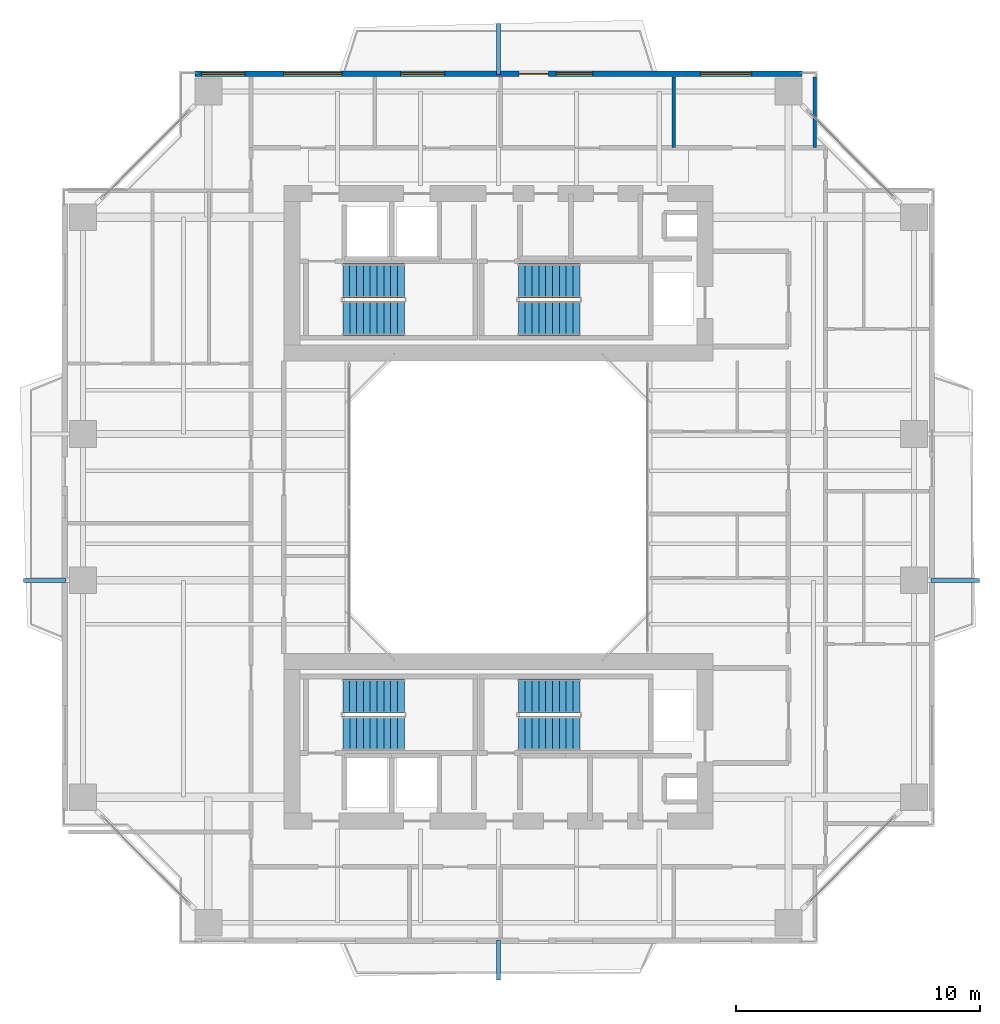
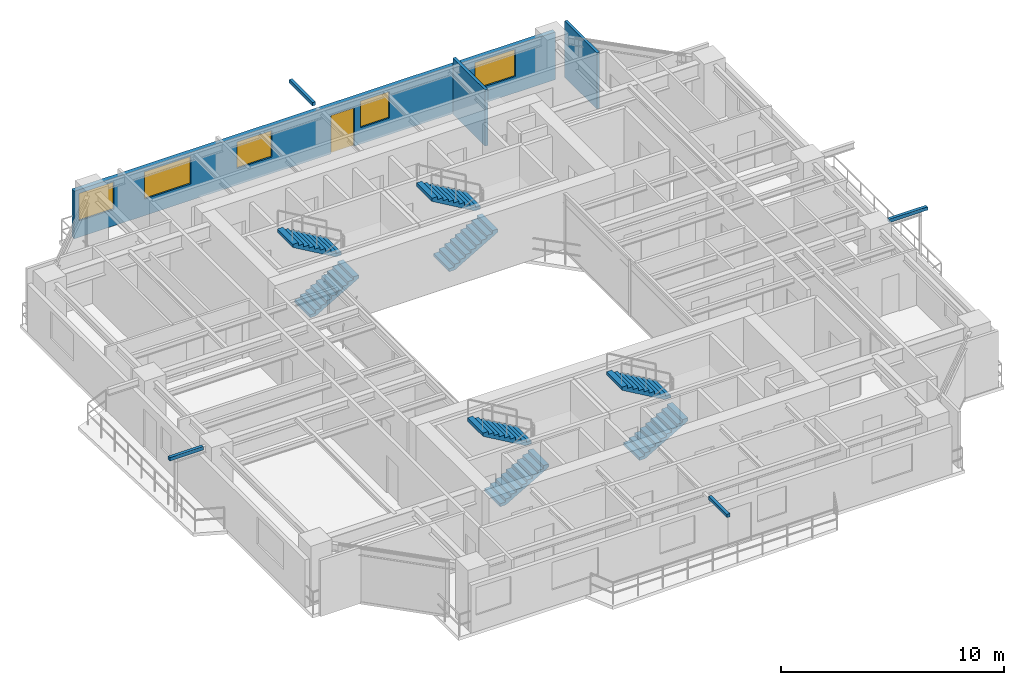
# One storey, part 14 of 17: 8 stair flights, 5 windows, 4 discrete accessories, 3 walls, 1 door, 6 openings, 4 elements without a shape of their own.
"""IFC4 building model written with IfcOpenShell, lengths in metres."""

from ifc_helpers import new_model, si_unit, direction, frame, frame_2d, origin, origin_2d, place, context, subcontext, project, spatial, polyline, rectangle, outline, extrude, source, transform, mapped, material, layer, layer_set, type_object, element, fill, aggregate, save


model = new_model("IFC4")

# Units and contexts
model_context = context("Model", 3, precision=1e-05, world=origin(), true_north=direction((0.0, 1.0)))
body_context = subcontext(model_context, "Body", "Model", "MODEL_VIEW")
ifc_project = project(units=[si_unit("LENGTHUNIT", "METRE"), si_unit("AREAUNIT", "SQUARE_METRE"), si_unit("VOLUMEUNIT", "CUBIC_METRE"), si_unit("PLANEANGLEUNIT", "RADIAN"), si_unit("MASSUNIT", "GRAM", prefix="KILO"), si_unit("THERMODYNAMICTEMPERATUREUNIT", "KELVIN"), si_unit("POWERUNIT", "WATT")], contexts=[model_context])

# Site, building, storey
site_placement = place(None, origin())
site = spatial("IfcSite", under=ifc_project, at=site_placement, CompositionType="ELEMENT")
building_placement = place(site_placement, origin())
building = spatial("IfcBuilding", under=site, at=building_placement, Name="Qiaomeng Ring Towers", CompositionType="ELEMENT")
storey_placement = place(building_placement, frame((0.0, 0.0, 119.75)))
storey = spatial("IfcBuildingStorey", under=building, at=storey_placement, Name="L34", CompositionType="ELEMENT", Elevation=119.75)

# Wall, openings, windows, door
ifc_material_1 = material(Name="Precast concrete C40", Category="concrete")
ifc_layer_1 = layer(ifc_material_1, 0.219970703125, Name="Precast concrete C40")
ifc_layer_set_1 = layer_set([ifc_layer_1], Name="Precast concrete C40")
wall_type_1 = type_object("IfcWallType", Name="ARC-WL-EW2", PredefinedType="STANDARD", material=ifc_layer_set_1)
wall_placement = place(storey_placement, frame((6.550048828125, 40.7900390625, 0.0), z_axis=(0.0, 0.0, 1.0), x_axis=(1.0, 0.0, 0.0)))
wall = element("IfcWall", 1, at=wall_placement, inside=storey, type_object=wall_type_1, Name="L34 Tower 1 N Exterior Wall", PredefinedType="STANDARD", context=body_context, shape_type="SweptSolid", body=[
    extrude(rectangle(XDim=24.89990234375, YDim=0.219970703125, at=frame_2d((12.449951171875, 0.0))), origin(), (0.0, 0.0, 1.0), 2.610107421875),
])
opening_1_placement = place(wall_placement, frame((13.300048828125, 0.0, 0.0)))
opening_1 = element("IfcOpeningElement", 2, at=opening_1_placement, cuts=wall, Name="Opening BD1", PredefinedType="OPENING", context=body_context, shape_type="SweptSolid", body=[
    extrude(rectangle(XDim=1.199951171875, YDim=2.10009765625, at=frame_2d((0.60009765625, 1.050048828125))), frame((0.0, 0.119873046875, 0.0), z_axis=(0.0, -1.0, 0.0), x_axis=(1.0, 0.0, 0.0)), (0.0, 0.0, 1.0), 0.239990234375),
])
opening_2_placement = place(wall_placement, frame((3.635009765625, 0.0, 0.89990234375)))
opening_2 = element("IfcOpeningElement", 3, at=opening_2_placement, cuts=wall, Name="Opening WN6", PredefinedType="OPENING", context=body_context, shape_type="SweptSolid", body=[
    extrude(rectangle(XDim=2.39990234375, YDim=1.5, at=frame_2d((1.199951171875, 0.75))), frame((0.0, 0.119873046875, 0.0), z_axis=(0.0, -1.0, 0.0), x_axis=(1.0, 0.0, 0.0)), (0.0, 0.0, 1.0), 0.239990234375),
])
opening_3_placement = place(wall_placement, frame((8.43798828125, 0.0, 0.89990234375)))
opening_3 = element("IfcOpeningElement", 4, at=opening_3_placement, cuts=wall, Name="Opening WN1", PredefinedType="OPENING", context=body_context, shape_type="SweptSolid", body=[
    extrude(rectangle(XDim=1.800048828125, YDim=1.449951171875, at=frame_2d((0.89990234375, 0.72509765625))), frame((0.0, 0.119873046875, 0.0), z_axis=(0.0, -1.0, 0.0), x_axis=(1.0, 0.0, 0.0)), (0.0, 0.0, 1.0), 0.239990234375),
])
opening_4_placement = place(wall_placement, frame((14.81298828125, 0.0, 0.89990234375)))
opening_4 = element("IfcOpeningElement", 5, at=opening_4_placement, cuts=wall, Name="Opening WN2", PredefinedType="OPENING", context=body_context, shape_type="SweptSolid", body=[
    extrude(rectangle(XDim=1.5, YDim=1.449951171875, at=frame_2d((0.75, 0.72509765625))), frame((0.0, 0.119873046875, 0.0), z_axis=(0.0, -1.0, 0.0), x_axis=(1.0, 0.0, 0.0)), (0.0, 0.0, 1.0), 0.239990234375),
])
opening_5_placement = place(wall_placement, frame((20.738037109375, 0.0, 0.89990234375)))
opening_5 = element("IfcOpeningElement", 6, at=opening_5_placement, cuts=wall, Name="Opening WN4", PredefinedType="OPENING", context=body_context, shape_type="SweptSolid", body=[
    extrude(rectangle(XDim=2.10009765625, YDim=1.47998046875, at=frame_2d((1.050048828125, 0.739990234375))), frame((0.0, 0.119873046875, 0.0), z_axis=(0.0, -1.0, 0.0), x_axis=(1.0, 0.0, 0.0)), (0.0, 0.0, 1.0), 0.239990234375),
])
opening_6_placement = place(wall_placement, frame((0.257568359375, 0.0, 0.89990234375)))
opening_6 = element("IfcOpeningElement", 7, at=opening_6_placement, cuts=wall, Name="Opening WN1", PredefinedType="OPENING", context=body_context, shape_type="SweptSolid", body=[
    extrude(rectangle(XDim=1.800048828125, YDim=1.5, at=frame_2d((0.89990234375, 0.75))), frame((0.0, 0.119873046875, 0.0), z_axis=(0.0, -1.0, 0.0), x_axis=(1.0, 0.0, 0.0)), (0.0, 0.0, 1.0), 0.239990234375),
])
ifc_material_2 = material(Name="Low-E dark-grey laminated double glazing", Category="glass")
window_type_1 = type_object("IfcWindowType", Name="ARC-WN-2", PartitioningType="DOUBLE_PANEL_VERTICAL", PredefinedType="WINDOW", material=ifc_material_2)
shared_shape_1 = source(origin(), body_context, "Body", "SweptSolid", [
    extrude(rectangle(XDim=1.5, YDim=1.449951171875, at=frame_2d((0.75, 0.72509765625))), frame((0.0, 0.030029296875, 0.0), z_axis=(0.0, -1.0, 0.0), x_axis=(1.0, 0.0, 0.0)), (0.0, 0.0, 1.0), 0.06005859375),
])
window_1_placement = place(opening_4_placement, origin())
window_1 = element("IfcWindow", 8, at=window_1_placement, inside=storey, type_object=window_type_1, Name="L34 Exterior Window WN2", OverallHeight=1.449951171875, OverallWidth=1.5, PartitioningType="DOUBLE_PANEL_VERTICAL", PredefinedType="WINDOW", context=body_context, shape_type="MappedRepresentation", body=[
    mapped(shared_shape_1, transform((0.0, 0.0, 0.0), x_axis=(1.0, 0.0, 0.0), y_axis=(0.0, 1.0, 0.0), z_axis=(0.0, 0.0, 1.0), scale=1.0)),
])
fill(opening_4, window_1)
window_type_2 = type_object("IfcWindowType", Name="ARC-WN-4", PartitioningType="TRIPLE_PANEL_VERTICAL", PredefinedType="WINDOW", material=ifc_material_2)
shared_shape_2 = source(origin(), body_context, "Body", "SweptSolid", [
    extrude(rectangle(XDim=2.10009765625, YDim=1.47998046875, at=frame_2d((1.050048828125, 0.739990234375))), frame((0.0, 0.030029296875, 0.0), z_axis=(0.0, -1.0, 0.0), x_axis=(1.0, 0.0, 0.0)), (0.0, 0.0, 1.0), 0.06005859375),
])
window_2_placement = place(opening_5_placement, origin())
window_2 = element("IfcWindow", 9, at=window_2_placement, inside=storey, type_object=window_type_2, Name="L34 Exterior Window WN4", OverallHeight=1.47998046875, OverallWidth=2.10009765625, PartitioningType="TRIPLE_PANEL_VERTICAL", PredefinedType="WINDOW", context=body_context, shape_type="MappedRepresentation", body=[
    mapped(shared_shape_2, transform((0.0, 0.0, 0.0), x_axis=(1.0, 0.0, 0.0), y_axis=(0.0, 1.0, 0.0), z_axis=(0.0, 0.0, 1.0), scale=1.0)),
])
fill(opening_5, window_2)
window_type_3 = type_object("IfcWindowType", Name="ARC-WN-1", PartitioningType="DOUBLE_PANEL_VERTICAL", PredefinedType="WINDOW", material=ifc_material_2)
shared_shape_3 = source(origin(), body_context, "Body", "SweptSolid", [
    extrude(rectangle(XDim=1.800048828125, YDim=1.449951171875, at=frame_2d((0.89990234375, 0.72509765625))), frame((0.0, 0.030029296875, 0.0), z_axis=(0.0, -1.0, 0.0), x_axis=(1.0, 0.0, 0.0)), (0.0, 0.0, 1.0), 0.06005859375),
])
window_3_placement = place(opening_3_placement, origin())
window_3 = element("IfcWindow", 10, at=window_3_placement, inside=storey, type_object=window_type_3, Name="L34 Exterior Window WN1", OverallHeight=1.449951171875, OverallWidth=1.800048828125, PartitioningType="DOUBLE_PANEL_VERTICAL", PredefinedType="WINDOW", context=body_context, shape_type="MappedRepresentation", body=[
    mapped(shared_shape_3, transform((0.0, 0.0, 0.0), x_axis=(1.0, 0.0, 0.0), y_axis=(0.0, 1.0, 0.0), z_axis=(0.0, 0.0, 1.0), scale=1.0)),
])
fill(opening_3, window_3)
door_type = type_object("IfcDoorType", Name="ARC-DR-BD1", OperationType="NOTDEFINED", PredefinedType="DOOR", material=ifc_material_2)
shared_shape_4 = source(origin(), body_context, "Body", "SweptSolid", [
    extrude(rectangle(XDim=1.199951171875, YDim=2.10009765625, at=frame_2d((0.60009765625, 1.050048828125))), frame((0.0, 0.02490234375, 0.0), z_axis=(0.0, -1.0, 0.0), x_axis=(1.0, 0.0, 0.0)), (0.0, 0.0, 1.0), 0.050048828125),
])
door_placement = place(opening_1_placement, origin())
door = element("IfcDoor", 11, at=door_placement, inside=storey, type_object=door_type, Name="L34 N Balcony Glazed Door", OperationType="SINGLE_SWING_LEFT", OverallHeight=2.10009765625, OverallWidth=1.199951171875, PredefinedType="DOOR", context=body_context, shape_type="MappedRepresentation", body=[
    mapped(shared_shape_4, transform((0.0, 0.0, 0.0), x_axis=(1.0, 0.0, 0.0), y_axis=(0.0, 1.0, 0.0), z_axis=(0.0, 0.0, 1.0), scale=1.0)),
])
fill(opening_1, door)
window_type_4 = type_object("IfcWindowType", Name="ARC-WN-6", PartitioningType="TRIPLE_PANEL_VERTICAL", PredefinedType="WINDOW", material=ifc_material_2)
shared_shape_5 = source(origin(), body_context, "Body", "SweptSolid", [
    extrude(rectangle(XDim=2.39990234375, YDim=1.5, at=frame_2d((1.199951171875, 0.75))), frame((0.0, 0.030029296875, 0.0), z_axis=(0.0, -1.0, 0.0), x_axis=(1.0, 0.0, 0.0)), (0.0, 0.0, 1.0), 0.06005859375),
])
window_4_placement = place(opening_2_placement, origin())
window_4 = element("IfcWindow", 12, at=window_4_placement, inside=storey, type_object=window_type_4, Name="L34 Exterior Window WN6", OverallHeight=1.5, OverallWidth=2.39990234375, PartitioningType="TRIPLE_PANEL_VERTICAL", PredefinedType="WINDOW", context=body_context, shape_type="MappedRepresentation", body=[
    mapped(shared_shape_5, transform((0.0, 0.0, 0.0), x_axis=(1.0, 0.0, 0.0), y_axis=(0.0, 1.0, 0.0), z_axis=(0.0, 0.0, 1.0), scale=1.0)),
])
fill(opening_2, window_4)
shared_shape_6 = source(origin(), body_context, "Body", "SweptSolid", [
    extrude(rectangle(XDim=1.800048828125, YDim=1.5, at=frame_2d((0.89990234375, 0.75))), frame((0.0, 0.030029296875, 0.0), z_axis=(0.0, -1.0, 0.0), x_axis=(1.0, 0.0, 0.0)), (0.0, 0.0, 1.0), 0.06005859375),
])
window_5_placement = place(opening_6_placement, origin())
window_5 = element("IfcWindow", 13, at=window_5_placement, inside=storey, type_object=window_type_3, Name="L34 Exterior Window WN1", OverallHeight=1.5, OverallWidth=1.800048828125, PartitioningType="DOUBLE_PANEL_VERTICAL", PredefinedType="WINDOW", context=body_context, shape_type="MappedRepresentation", body=[
    mapped(shared_shape_6, transform((0.0, 0.0, 0.0), x_axis=(1.0, 0.0, 0.0), y_axis=(0.0, 1.0, 0.0), z_axis=(0.0, 0.0, 1.0), scale=1.0)),
])
fill(opening_6, window_5)

# Walls
ifc_material_3 = material(Name="Gypsum fireboard steel-stud partition", Category="steel")
ifc_layer_2 = layer(ifc_material_3, 0.14990234375, Name="Gypsum fireboard steel-stud partition")
ifc_layer_set_2 = layer_set([ifc_layer_2], Name="Gypsum fireboard steel-stud partition")
wall_type_2 = type_object("IfcWallType", Name="ARC-WL-PW3", PredefinedType="PARTITIONING", material=ifc_layer_set_2)
for number, where, z_axis, x_axis, name in (
    (14, (26.199951171875, 37.75, 0.0), (0.0, 0.0, 1.0), (0.0, 1.0, 0.0), "L34 Interior Wall PW3"),
    (15, (31.97998046875, 37.75, 0.0), (0.0, 0.0, 1.0), (0.0, 1.0, 0.0), "L34 Interior Wall PW3"),
):
    element("IfcWall", number, at=place(storey_placement, frame(where, z_axis=z_axis, x_axis=x_axis)), inside=storey, type_object=wall_type_2, Name=name, PredefinedType="PARTITIONING", context=body_context, shape_type="SweptSolid", body=[
        extrude(rectangle(XDim=2.89990234375, YDim=0.14990234375, at=frame_2d((1.449951171875, 0.0))), origin(), (0.0, 0.0, 1.0), 3.070068359375),
    ])

# Stair, stair flights
stair_type = type_object("IfcStairType", Name="ARC-ST-325", PredefinedType="HALF_TURN_STAIR", material=ifc_material_1)
stair_1_placement = place(storey_placement, origin())
stair_1 = element("IfcStair", 16, at=stair_1_placement, inside=storey, type_object=stair_type, Name="L34 Tower 1 North Stair 1", PredefinedType="HALF_TURN_STAIR")
stair_flight_type = type_object("IfcStairFlightType", Name="ARC-ST-325-FL", PredefinedType="STRAIGHT", material=ifc_material_1)
shared_shape_7 = source(origin(), body_context, "Body", "SweptSolid", [
    extrude(outline(polyline([(0.0, 0.0), (0.0, 0.16259765625), (0.280029296875, 0.16259765625), (0.280029296875, 0.324951171875), (0.56005859375, 0.324951171875), (0.56005859375, 0.487548828125), (0.840087890625, 0.487548828125), (0.840087890625, 0.64990234375), (1.1201171875, 0.64990234375), (1.1201171875, 0.8125), (1.39990234375, 0.8125), (1.39990234375, 0.97509765625), (1.679931640625, 0.97509765625), (1.679931640625, 1.137451171875), (1.9599609375, 1.137451171875), (1.9599609375, 1.300048828125), (2.239990234375, 1.300048828125), (2.239990234375, 1.46240234375), (2.52001953125, 1.46240234375), (2.52001953125, 1.625), (2.52001953125, 1.2890625), (0.298583984375, 0.0), (0.0, 0.0)])), frame((0.0, 0.699951171875, 0.0), z_axis=(0.0, -1.0, 0.0), x_axis=(1.0, 0.0, 0.0)), (0.0, 0.0, 1.0), 1.39990234375),
])
stair_flight_1_placement = place(storey_placement, frame((12.6201171875, 30.75, 0.0), z_axis=(0.0, 0.0, 1.0), x_axis=(1.0, 0.0, 0.0)))
stair_flight_1 = element("IfcStairFlight", 17, at=stair_flight_1_placement, type_object=stair_flight_type, Name="ST1 flight 1", NumberOfRisers=10, NumberOfTreads=9, PredefinedType="STRAIGHT", RiserHeight=0.1625, TreadLength=0.28, context=body_context, shape_type="MappedRepresentation", body=[
    mapped(shared_shape_7, transform((0.0, 0.0, 0.0), x_axis=(1.0, 0.0, 0.0), y_axis=(0.0, 1.0, 0.0), z_axis=(0.0, 0.0, 1.0), scale=1.0)),
])
stair_flight_2_placement = place(storey_placement, frame((15.139892578125, 32.2900390625, 1.625), z_axis=(0.0, 0.0, 1.0), x_axis=(-1.0, 0.0, 0.0)))
stair_flight_2 = element("IfcStairFlight", 18, at=stair_flight_2_placement, type_object=stair_flight_type, Name="ST1 flight 2", NumberOfRisers=10, NumberOfTreads=9, PredefinedType="STRAIGHT", RiserHeight=0.1625, TreadLength=0.28, context=body_context, shape_type="MappedRepresentation", body=[
    mapped(shared_shape_7, transform((0.0, 0.0, 0.0), x_axis=(1.0, 0.0, 0.0), y_axis=(0.0, 1.0, 0.0), z_axis=(0.0, 0.0, 1.0), scale=1.0)),
])
aggregate(stair_1, [stair_flight_1, stair_flight_2])

stair_2_placement = place(storey_placement, origin())
stair_2 = element("IfcStair", 19, at=stair_2_placement, inside=storey, type_object=stair_type, Name="L34 Tower 1 North Stair 2", PredefinedType="HALF_TURN_STAIR")
stair_flight_3_placement = place(storey_placement, frame((19.820068359375, 30.75, 0.0), z_axis=(0.0, 0.0, 1.0), x_axis=(1.0, 0.0, 0.0)))
stair_flight_3 = element("IfcStairFlight", 20, at=stair_flight_3_placement, type_object=stair_flight_type, Name="ST2 flight 1", NumberOfRisers=10, NumberOfTreads=9, PredefinedType="STRAIGHT", RiserHeight=0.1625, TreadLength=0.28, context=body_context, shape_type="MappedRepresentation", body=[
    mapped(shared_shape_7, transform((0.0, 0.0, 0.0), x_axis=(1.0, 0.0, 0.0), y_axis=(0.0, 1.0, 0.0), z_axis=(0.0, 0.0, 1.0), scale=1.0)),
])
stair_flight_4_placement = place(storey_placement, frame((22.340087890625, 32.2900390625, 1.625), z_axis=(0.0, 0.0, 1.0), x_axis=(-1.0, 0.0, 0.0)))
stair_flight_4 = element("IfcStairFlight", 21, at=stair_flight_4_placement, type_object=stair_flight_type, Name="ST2 flight 2", NumberOfRisers=10, NumberOfTreads=9, PredefinedType="STRAIGHT", RiserHeight=0.1625, TreadLength=0.28, context=body_context, shape_type="MappedRepresentation", body=[
    mapped(shared_shape_7, transform((0.0, 0.0, 0.0), x_axis=(1.0, 0.0, 0.0), y_axis=(0.0, 1.0, 0.0), z_axis=(0.0, 0.0, 1.0), scale=1.0)),
])
aggregate(stair_2, [stair_flight_3, stair_flight_4])

stair_3_placement = place(storey_placement, origin())
stair_3 = element("IfcStair", 22, at=stair_3_placement, inside=storey, type_object=stair_type, Name="L34 Tower 1 South Stair 3", PredefinedType="HALF_TURN_STAIR")
stair_flight_5_placement = place(storey_placement, frame((12.6201171875, 13.7099609375, 0.0), z_axis=(0.0, 0.0, 1.0), x_axis=(1.0, 0.0, 0.0)))
stair_flight_5 = element("IfcStairFlight", 23, at=stair_flight_5_placement, type_object=stair_flight_type, Name="ST3 flight 1", NumberOfRisers=10, NumberOfTreads=9, PredefinedType="STRAIGHT", RiserHeight=0.1625, TreadLength=0.28, context=body_context, shape_type="MappedRepresentation", body=[
    mapped(shared_shape_7, transform((0.0, 0.0, 0.0), x_axis=(1.0, 0.0, 0.0), y_axis=(0.0, 1.0, 0.0), z_axis=(0.0, 0.0, 1.0), scale=1.0)),
])
stair_flight_6_placement = place(storey_placement, frame((15.139892578125, 15.25, 1.625), z_axis=(0.0, 0.0, 1.0), x_axis=(-1.0, 0.0, 0.0)))
stair_flight_6 = element("IfcStairFlight", 24, at=stair_flight_6_placement, type_object=stair_flight_type, Name="ST3 flight 2", NumberOfRisers=10, NumberOfTreads=9, PredefinedType="STRAIGHT", RiserHeight=0.1625, TreadLength=0.28, context=body_context, shape_type="MappedRepresentation", body=[
    mapped(shared_shape_7, transform((0.0, 0.0, 0.0), x_axis=(1.0, 0.0, 0.0), y_axis=(0.0, 1.0, 0.0), z_axis=(0.0, 0.0, 1.0), scale=1.0)),
])
aggregate(stair_3, [stair_flight_5, stair_flight_6])

stair_4_placement = place(storey_placement, origin())
stair_4 = element("IfcStair", 25, at=stair_4_placement, inside=storey, type_object=stair_type, Name="L34 Tower 1 South Stair 4", PredefinedType="HALF_TURN_STAIR")
stair_flight_7_placement = place(storey_placement, frame((19.820068359375, 13.7099609375, 0.0), z_axis=(0.0, 0.0, 1.0), x_axis=(1.0, 0.0, 0.0)))
stair_flight_7 = element("IfcStairFlight", 26, at=stair_flight_7_placement, type_object=stair_flight_type, Name="ST4 flight 1", NumberOfRisers=10, NumberOfTreads=9, PredefinedType="STRAIGHT", RiserHeight=0.1625, TreadLength=0.28, context=body_context, shape_type="MappedRepresentation", body=[
    mapped(shared_shape_7, transform((0.0, 0.0, 0.0), x_axis=(1.0, 0.0, 0.0), y_axis=(0.0, 1.0, 0.0), z_axis=(0.0, 0.0, 1.0), scale=1.0)),
])
stair_flight_8_placement = place(storey_placement, frame((22.340087890625, 15.25, 1.625), z_axis=(0.0, 0.0, 1.0), x_axis=(-1.0, 0.0, 0.0)))
stair_flight_8 = element("IfcStairFlight", 27, at=stair_flight_8_placement, type_object=stair_flight_type, Name="ST4 flight 2", NumberOfRisers=10, NumberOfTreads=9, PredefinedType="STRAIGHT", RiserHeight=0.1625, TreadLength=0.28, context=body_context, shape_type="MappedRepresentation", body=[
    mapped(shared_shape_7, transform((0.0, 0.0, 0.0), x_axis=(1.0, 0.0, 0.0), y_axis=(0.0, 1.0, 0.0), z_axis=(0.0, 0.0, 1.0), scale=1.0)),
])
aggregate(stair_4, [stair_flight_7, stair_flight_8])

# Discrete accessories
ifc_material_4 = material(Name="Stainless steel 316", Category="steel")
discrete_accessory_type = type_object("IfcDiscreteAccessoryType", Name="ARC-ACC-BRACKET", PredefinedType="BRACKET", material=ifc_material_4)
shared_shape_8 = source(origin(), body_context, "Body", "SweptSolid", [
    extrude(rectangle(XDim=0.159912109375, YDim=1.64990234375, at=origin_2d()), origin(), (0.0, 0.0, 1.0), 0.179931640625),
])
discrete_accessory_1_placement = place(storey_placement, frame((19.0, 4.425048828125, 2.89990234375), z_axis=(0.0, 0.0, 1.0), x_axis=(1.0, 0.0, 0.0)))
element("IfcDiscreteAccessory", 28, at=discrete_accessory_1_placement, inside=storey, type_object=discrete_accessory_type, Name="L34 Stainless Outer-Skin Tie Bracket S", PredefinedType="BRACKET", context=body_context, shape_type="MappedRepresentation", body=[
    mapped(shared_shape_8, transform((0.0, 0.0, 0.0), x_axis=(1.0, 0.0, 0.0), y_axis=(0.0, 1.0, 0.0), z_axis=(0.0, 0.0, 1.0), scale=1.0)),
])
shared_shape_9 = source(origin(), body_context, "Body", "SweptSolid", [
    extrude(rectangle(XDim=1.989990234375, YDim=0.159912109375, at=origin_2d()), origin(), (0.0, 0.0, 1.0), 0.179931640625),
])
discrete_accessory_2_placement = place(storey_placement, frame((37.7451171875, 20.0, 2.89990234375), z_axis=(0.0, 0.0, 1.0), x_axis=(1.0, 0.0, 0.0)))
element("IfcDiscreteAccessory", 29, at=discrete_accessory_2_placement, inside=storey, type_object=discrete_accessory_type, Name="L34 Stainless Outer-Skin Tie Bracket E", PredefinedType="BRACKET", context=body_context, shape_type="MappedRepresentation", body=[
    mapped(shared_shape_9, transform((0.0, 0.0, 0.0), x_axis=(1.0, 0.0, 0.0), y_axis=(0.0, 1.0, 0.0), z_axis=(0.0, 0.0, 1.0), scale=1.0)),
])
shared_shape_10 = source(origin(), body_context, "Body", "SweptSolid", [
    extrude(rectangle(XDim=0.159912109375, YDim=2.090087890625, at=origin_2d()), origin(), (0.0, 0.0, 1.0), 0.179931640625),
])
discrete_accessory_3_placement = place(storey_placement, frame((19.0, 41.794921875, 2.89990234375), z_axis=(0.0, 0.0, 1.0), x_axis=(1.0, 0.0, 0.0)))
element("IfcDiscreteAccessory", 30, at=discrete_accessory_3_placement, inside=storey, type_object=discrete_accessory_type, Name="L34 Stainless Outer-Skin Tie Bracket N", PredefinedType="BRACKET", context=body_context, shape_type="MappedRepresentation", body=[
    mapped(shared_shape_10, transform((0.0, 0.0, 0.0), x_axis=(1.0, 0.0, 0.0), y_axis=(0.0, 1.0, 0.0), z_axis=(0.0, 0.0, 1.0), scale=1.0)),
])
shared_shape_11 = source(origin(), body_context, "Body", "SweptSolid", [
    extrude(rectangle(XDim=1.72998046875, YDim=0.159912109375, at=origin_2d()), origin(), (0.0, 0.0, 1.0), 0.179931640625),
])
discrete_accessory_4_placement = place(storey_placement, frame((0.385009765625, 20.0, 2.89990234375), z_axis=(0.0, 0.0, 1.0), x_axis=(1.0, 0.0, 0.0)))
element("IfcDiscreteAccessory", 31, at=discrete_accessory_4_placement, inside=storey, type_object=discrete_accessory_type, Name="L34 Stainless Outer-Skin Tie Bracket W", PredefinedType="BRACKET", context=body_context, shape_type="MappedRepresentation", body=[
    mapped(shared_shape_11, transform((0.0, 0.0, 0.0), x_axis=(1.0, 0.0, 0.0), y_axis=(0.0, 1.0, 0.0), z_axis=(0.0, 0.0, 1.0), scale=1.0)),
])

save(model, "model.ifc")
